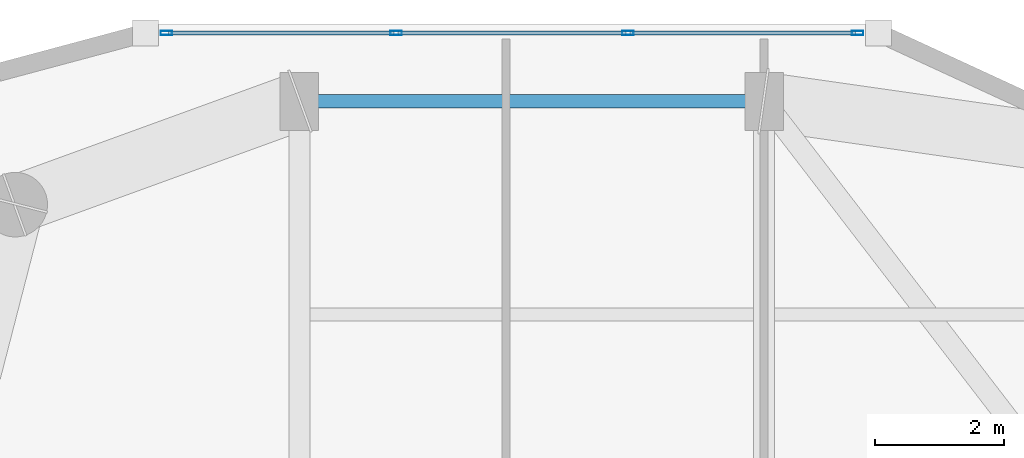
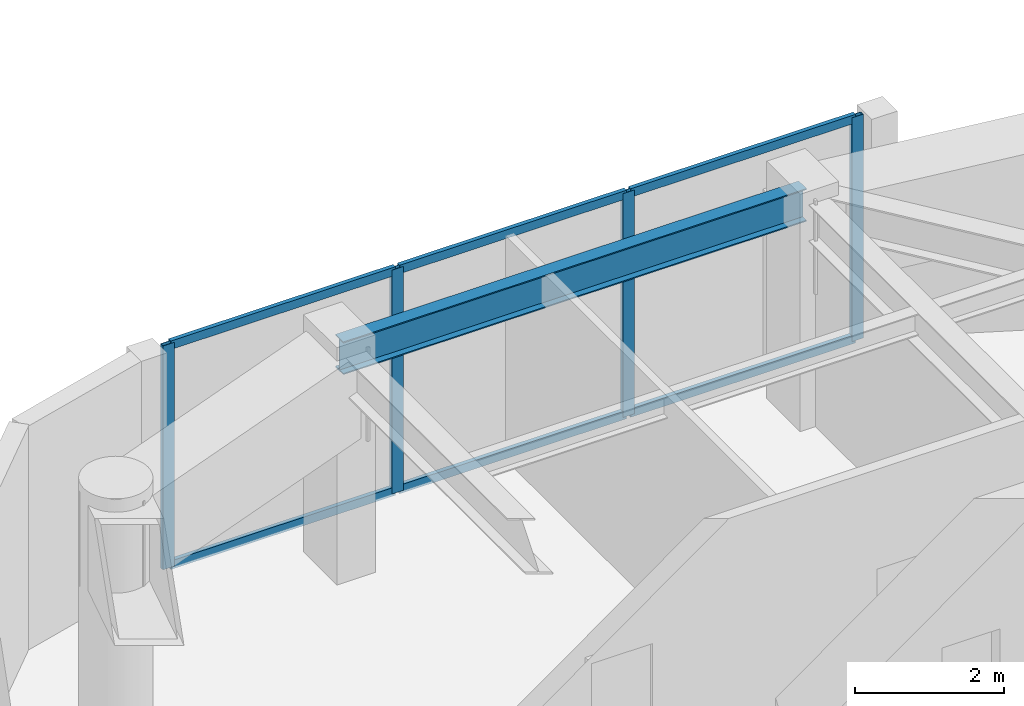
# One storey, part 6 of 16: 10 members, 1 beam, 1 element without a shape of its own.
"""IFC4 building model written with IfcOpenShell, lengths in metres."""

from ifc_helpers import new_model, si_unit, direction, frame, origin, origin_2d, place, context, subcontext, project, spatial, hollow_rectangle, i_section, extrude, material, layer, layer_set, material_profile, profile_set, type_object, element, aggregate, save


model = new_model("IFC4")

# Units and contexts
model_context = context("Model", 3, precision=1e-05, world=origin(), true_north=direction((0.0, 1.0)))
body_context = subcontext(model_context, "Body", "Model", "MODEL_VIEW")
ifc_project = project(units=[si_unit("LENGTHUNIT", "METRE"), si_unit("AREAUNIT", "SQUARE_METRE"), si_unit("VOLUMEUNIT", "CUBIC_METRE"), si_unit("PLANEANGLEUNIT", "RADIAN"), si_unit("MASSUNIT", "GRAM", prefix="KILO")], contexts=[model_context])

# Site, building, storey
site_placement = place(None, origin())
site = spatial("IfcSite", under=ifc_project, at=site_placement, CompositionType="ELEMENT")
building_placement = place(site_placement, origin())
building = spatial("IfcBuilding", under=site, at=building_placement, Name="Kiyonajd Concourse Tower", CompositionType="ELEMENT")
storey_placement = place(building_placement, frame((0.0, 0.0, 310.199951171875)))
storey = spatial("IfcBuildingStorey", under=building, at=storey_placement, Name="L78", CompositionType="ELEMENT", Elevation=310.199951171875)

# Beam
ifc_material_1 = material(Name="Steel ASTM A992 Grade 50", Category="steel")
ifc_material_profile_1 = material_profile(ifc_material_1, i_section(OverallWidth=0.2109375, OverallDepth=0.5390625, WebThickness=0.01171875, FlangeThickness=0.018798828125, at=origin_2d()), Name="W530X109")
ifc_profile_set_1 = profile_set([ifc_material_profile_1], Name="Steel ASTM A992 Grade 50")
beam_type = type_object("IfcBeamType", Name="BM-SPAN-530B", PredefinedType="SPANDREL", material=ifc_profile_set_1)
beam_placement = place(storey_placement, frame((39.60009765625, 52.199951171875, 3.41064453125), z_axis=(-1.0, 0.0, 0.0), x_axis=(0.0, -1.0, 0.0)))
element("IfcBeam", 1, at=beam_placement, inside=storey, type_object=beam_type, Name="L78 Perimeter Bundled Tube Spandrel", PredefinedType="SPANDREL", context=body_context, shape_type="SweptSolid", body=[
    extrude(i_section(OverallWidth=0.2109375, OverallDepth=0.5390625, WebThickness=0.01171875, FlangeThickness=0.018798828125, at=origin_2d()), origin(), (0.0, 0.0, 1.0), 7.2001953125),
])

# Curtain wall, members
ifc_material_2 = material(Name="Thermally Broken Anodised Aluminium", Category="aluminium")
ifc_layer = layer(ifc_material_2, 0.179931640625)
ifc_layer_set = layer_set([ifc_layer], Name="Thermally Broken Anodised Aluminium")
curtain_wall_type = type_object("IfcCurtainWallType", Name="CW-SYS-04", PredefinedType="NOTDEFINED", material=ifc_layer_set)
curtain_wall_placement = place(storey_placement, origin())
curtain_wall = element("IfcCurtainWall", 2, at=curtain_wall_placement, inside=storey, type_object=curtain_wall_type, Name="L78 Unitised Curtain Wall CW4", PredefinedType="NOTDEFINED")
ifc_material_profile_2 = material_profile(ifc_material_2, hollow_rectangle(XDim=0.06494140625, YDim=0.179931640625, WallThickness=0.00390625, at=origin_2d()), Name="MULL-65x180")
ifc_profile_set_2 = profile_set([ifc_material_profile_2], Name="Thermally Broken Anodised Aluminium")
member_type_1 = type_object("IfcMemberType", Name="MB-CW-MULL1", PredefinedType="MULLION", material=ifc_profile_set_2)
member_1_placement = place(storey_placement, frame((30.3408203125, 53.260009765625, 0.0), z_axis=(0.0, 0.0, 1.0), x_axis=(0.0, 1.0, 0.0)))
member_1 = element("IfcMember", 3, at=member_1_placement, type_object=member_type_1, Name="CW4 mullion 1", PredefinedType="MULLION", context=body_context, shape_type="SweptSolid", body=[
    extrude(hollow_rectangle(XDim=0.06494140625, YDim=0.179931640625, WallThickness=0.00390625, at=origin_2d()), origin(), (0.0, 0.0, 1.0), 3.679931640625),
])
member_2_placement = place(storey_placement, frame((33.898681640625, 53.260009765625, 0.0), z_axis=(0.0, 0.0, 1.0), x_axis=(0.0, 1.0, 0.0)))
member_2 = element("IfcMember", 4, at=member_2_placement, type_object=member_type_1, Name="CW4 mullion 2", PredefinedType="MULLION", context=body_context, shape_type="SweptSolid", body=[
    extrude(hollow_rectangle(XDim=0.06494140625, YDim=0.179931640625, WallThickness=0.00390625, at=origin_2d()), origin(), (0.0, 0.0, 1.0), 3.679931640625),
])
member_3_placement = place(storey_placement, frame((37.489013671875, 53.260009765625, 0.0), z_axis=(0.0, 0.0, 1.0), x_axis=(0.0, 1.0, 0.0)))
member_3 = element("IfcMember", 5, at=member_3_placement, type_object=member_type_1, Name="CW4 mullion 3", PredefinedType="MULLION", context=body_context, shape_type="SweptSolid", body=[
    extrude(hollow_rectangle(XDim=0.06494140625, YDim=0.179931640625, WallThickness=0.00390625, at=origin_2d()), origin(), (0.0, 0.0, 1.0), 3.679931640625),
])
member_4_placement = place(storey_placement, frame((41.046875, 53.260009765625, 0.0), z_axis=(0.0, 0.0, 1.0), x_axis=(0.0, 1.0, 0.0)))
member_4 = element("IfcMember", 6, at=member_4_placement, type_object=member_type_1, Name="CW4 mullion 4", PredefinedType="MULLION", context=body_context, shape_type="SweptSolid", body=[
    extrude(hollow_rectangle(XDim=0.06494140625, YDim=0.179931640625, WallThickness=0.00390625, at=origin_2d()), origin(), (0.0, 0.0, 1.0), 3.679931640625),
])
ifc_material_profile_3 = material_profile(ifc_material_2, hollow_rectangle(XDim=0.06494140625, YDim=0.139892578125, WallThickness=0.00390625, at=origin_2d()), Name="TRAN-65x140")
ifc_profile_set_3 = profile_set([ifc_material_profile_3], Name="Thermally Broken Anodised Aluminium")
member_type_2 = type_object("IfcMemberType", Name="MB-CW-TRAN1", PredefinedType="USERDEFINED", material=ifc_profile_set_3)
member_5_placement = place(storey_placement, frame((30.373291015625, 53.260009765625, 0.032470703125), z_axis=(1.0, 0.0, 0.0), x_axis=(0.0, 1.0, 0.0)))
member_5 = element("IfcMember", 7, at=member_5_placement, type_object=member_type_2, Name="CW4 transom 1.1", ObjectType="TRANSOM", PredefinedType="USERDEFINED", context=body_context, shape_type="SweptSolid", body=[
    extrude(hollow_rectangle(XDim=0.06494140625, YDim=0.139892578125, WallThickness=0.00390625, at=origin_2d()), origin(), (0.0, 0.0, 1.0), 3.492919921875),
])
member_6_placement = place(storey_placement, frame((30.373291015625, 53.260009765625, 3.6474609375), z_axis=(1.0, 0.0, 0.0), x_axis=(0.0, 1.0, 0.0)))
member_6 = element("IfcMember", 8, at=member_6_placement, type_object=member_type_2, Name="CW4 transom 1.2", ObjectType="TRANSOM", PredefinedType="USERDEFINED", context=body_context, shape_type="SweptSolid", body=[
    extrude(hollow_rectangle(XDim=0.06494140625, YDim=0.139892578125, WallThickness=0.00390625, at=origin_2d()), origin(), (0.0, 0.0, 1.0), 3.492919921875),
])
member_7_placement = place(storey_placement, frame((33.93115234375, 53.260009765625, 0.032470703125), z_axis=(1.0, 0.0, 0.0), x_axis=(0.0, 1.0, 0.0)))
member_7 = element("IfcMember", 9, at=member_7_placement, type_object=member_type_2, Name="CW4 transom 2.1", ObjectType="TRANSOM", PredefinedType="USERDEFINED", context=body_context, shape_type="SweptSolid", body=[
    extrude(hollow_rectangle(XDim=0.06494140625, YDim=0.139892578125, WallThickness=0.00390625, at=origin_2d()), origin(), (0.0, 0.0, 1.0), 3.525390625),
])
member_8_placement = place(storey_placement, frame((33.93115234375, 53.260009765625, 3.6474609375), z_axis=(1.0, 0.0, 0.0), x_axis=(0.0, 1.0, 0.0)))
member_8 = element("IfcMember", 10, at=member_8_placement, type_object=member_type_2, Name="CW4 transom 2.2", ObjectType="TRANSOM", PredefinedType="USERDEFINED", context=body_context, shape_type="SweptSolid", body=[
    extrude(hollow_rectangle(XDim=0.06494140625, YDim=0.139892578125, WallThickness=0.00390625, at=origin_2d()), origin(), (0.0, 0.0, 1.0), 3.525390625),
])
member_9_placement = place(storey_placement, frame((37.521484375, 53.260009765625, 0.032470703125), z_axis=(1.0, 0.0, 0.0), x_axis=(0.0, 1.0, 0.0)))
member_9 = element("IfcMember", 11, at=member_9_placement, type_object=member_type_2, Name="CW4 transom 3.1", ObjectType="TRANSOM", PredefinedType="USERDEFINED", context=body_context, shape_type="SweptSolid", body=[
    extrude(hollow_rectangle(XDim=0.06494140625, YDim=0.139892578125, WallThickness=0.00390625, at=origin_2d()), origin(), (0.0, 0.0, 1.0), 3.492919921875),
])
member_10_placement = place(storey_placement, frame((37.521484375, 53.260009765625, 3.6474609375), z_axis=(1.0, 0.0, 0.0), x_axis=(0.0, 1.0, 0.0)))
member_10 = element("IfcMember", 12, at=member_10_placement, type_object=member_type_2, Name="CW4 transom 3.2", ObjectType="TRANSOM", PredefinedType="USERDEFINED", context=body_context, shape_type="SweptSolid", body=[
    extrude(hollow_rectangle(XDim=0.06494140625, YDim=0.139892578125, WallThickness=0.00390625, at=origin_2d()), origin(), (0.0, 0.0, 1.0), 3.492919921875),
])
aggregate(curtain_wall, [member_1, member_2, member_3, member_4, member_5, member_6, member_7, member_8, member_9, member_10])

save(model, "model.ifc")
